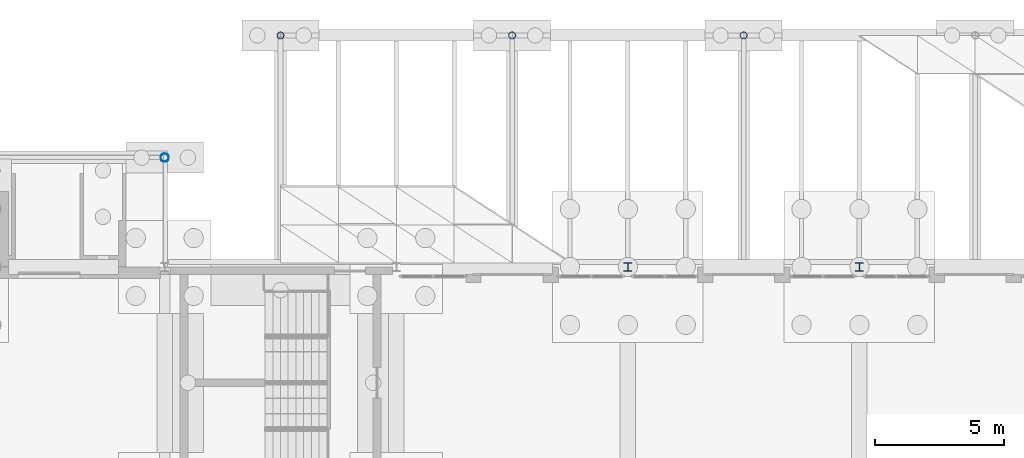
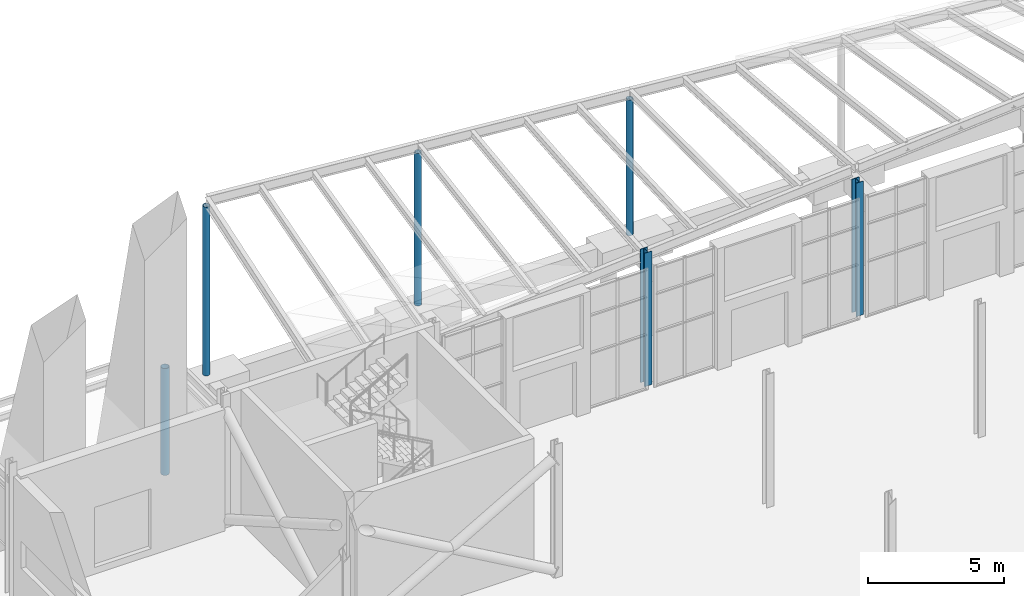
# One storey, part 30 of 139: 6 columns.
"""IFC4 building model written with IfcOpenShell, lengths in metres."""

from ifc_helpers import new_model, si_unit, direction, frame, origin, origin_2d, place, context, subcontext, project, spatial, hollow_circle, i_section, extrude, material, material_profile, profile_set, type_object, element, save


model = new_model("IFC4")

# Units and contexts
model_context = context("Model", 3, precision=1e-05, world=origin(), true_north=direction((0.0, 1.0)))
body_context = subcontext(model_context, "Body", "Model", "MODEL_VIEW")
ifc_project = project(units=[si_unit("LENGTHUNIT", "METRE"), si_unit("AREAUNIT", "SQUARE_METRE"), si_unit("VOLUMEUNIT", "CUBIC_METRE"), si_unit("PLANEANGLEUNIT", "RADIAN"), si_unit("MASSUNIT", "GRAM", prefix="KILO")], contexts=[model_context])

# Site, building, storey
site_placement = place(None, origin())
site = spatial("IfcSite", under=ifc_project, at=site_placement, CompositionType="ELEMENT")
building_placement = place(site_placement, origin())
building = spatial("IfcBuilding", under=site, at=building_placement, Name="Shorebreak Coast Museum", CompositionType="ELEMENT")
storey_placement = place(building_placement, origin())
storey = spatial("IfcBuildingStorey", under=building, at=storey_placement, Name="L00", CompositionType="ELEMENT", Elevation=0.0)

# Columns
ifc_material_1 = material(Name="Steel Grade C350L0", Category="steel")
ifc_material_profile_1 = material_profile(ifc_material_1, hollow_circle(Radius=0.161865234375, WallThickness=0.009521484375, at=origin_2d()), Name="323.9x9.5 CHS")
ifc_profile_set_1 = profile_set([ifc_material_profile_1], Name="Steel Grade C350L0")
column_type_1 = type_object("IfcColumnType", Name="Arcade column 323.9x9.5 CHS", PredefinedType="COLUMN", material=ifc_profile_set_1)
column_1_placement = place(storey_placement, frame((63.0, 121.25, -0.300048828125), z_axis=(0.0, 0.0, 1.0), x_axis=(1.0, 0.0, 0.0)))
element("IfcColumn", 1, at=column_1_placement, inside=storey, type_object=column_type_1, Name="Arcade column north 2", PredefinedType="COLUMN", context=body_context, shape_type="SweptSolid", body=[
    extrude(hollow_circle(Radius=0.161865234375, WallThickness=0.009521484375, at=origin_2d()), origin(), (0.0, 0.0, 1.0), 4.802001953125),
])
ifc_material_2 = material(Name="Steel Grade C350L0", Category="steel")
ifc_material_profile_2 = material_profile(ifc_material_2, hollow_circle(Radius=0.136474609375, WallThickness=0.00927734375, at=origin_2d()), Name="273.1x9.3 CHS")
ifc_profile_set_2 = profile_set([ifc_material_profile_2], Name="Steel Grade C350L0")
column_type_2 = type_object("IfcColumnType", Name="Canopy post 273.1x9.3 CHS", PredefinedType="COLUMN", material=ifc_profile_set_2)
column_2_placement = place(storey_placement, frame((67.5, 126.0, -0.300048828125), z_axis=(0.0, 0.0, 1.0), x_axis=(1.0, 0.0, 0.0)))
element("IfcColumn", 2, at=column_2_placement, inside=storey, type_object=column_type_2, Name="Canopy post ENT-N 1", PredefinedType="COLUMN", context=body_context, shape_type="SweptSolid", body=[
    extrude(hollow_circle(Radius=0.136474609375, WallThickness=0.00927734375, at=origin_2d()), origin(), (0.0, 0.0, 1.0), 7.58837890625),
])
column_3_placement = place(storey_placement, frame((76.5, 126.0, -0.300048828125), z_axis=(0.0, 0.0, 1.0), x_axis=(1.0, 0.0, 0.0)))
element("IfcColumn", 3, at=column_3_placement, inside=storey, type_object=column_type_2, Name="Canopy post ENT-N 2", PredefinedType="COLUMN", context=body_context, shape_type="SweptSolid", body=[
    extrude(hollow_circle(Radius=0.136474609375, WallThickness=0.00927734375, at=origin_2d()), origin(), (0.0, 0.0, 1.0), 6.848388671875),
])
column_4_placement = place(storey_placement, frame((85.5, 126.0, -0.300048828125), z_axis=(0.0, 0.0, 1.0), x_axis=(1.0, 0.0, 0.0)))
element("IfcColumn", 4, at=column_4_placement, inside=storey, type_object=column_type_2, Name="Canopy post ENT-N 3", PredefinedType="COLUMN", context=body_context, shape_type="SweptSolid", body=[
    extrude(hollow_circle(Radius=0.136474609375, WallThickness=0.00927734375, at=origin_2d()), origin(), (0.0, 0.0, 1.0), 6.101806640625),
])
ifc_material_3 = material(Name="Steel Grade 300", Category="steel")
ifc_material_profile_3 = material_profile(ifc_material_3, i_section(OverallWidth=0.31103515625, OverallDepth=0.3271484375, WebThickness=0.015625, FlangeThickness=0.02490234375, FilletRadius=0.0166015625, at=origin_2d()), Name="310UC158")
ifc_profile_set_3 = profile_set([ifc_material_profile_3], Name="Steel Grade 300")
column_type_3 = type_object("IfcColumnType", Name="Column 310UC158", PredefinedType="COLUMN", material=ifc_profile_set_3)
for number, where, z_axis, x_axis, name in (
    (5, (81.0, 117.0, 0.0), (0.0, 0.0, 1.0), (1.0, 0.0, 0.0), "Column L00 10P"),
    (6, (90.0, 117.0, 0.0), (0.0, 0.0, 1.0), (1.0, 0.0, 0.0), "Column L00 11P"),
):
    element("IfcColumn", number, at=place(storey_placement, frame(where, z_axis=z_axis, x_axis=x_axis)), inside=storey, type_object=column_type_3, Name=name, PredefinedType="COLUMN", context=body_context, shape_type="SweptSolid", body=[
        extrude(i_section(OverallWidth=0.31103515625, OverallDepth=0.3271484375, WebThickness=0.015625, FlangeThickness=0.02490234375, FilletRadius=0.0166015625, at=origin_2d()), origin(), (0.0, 0.0, 1.0), 6.0),
    ])

save(model, "model.ifc")
